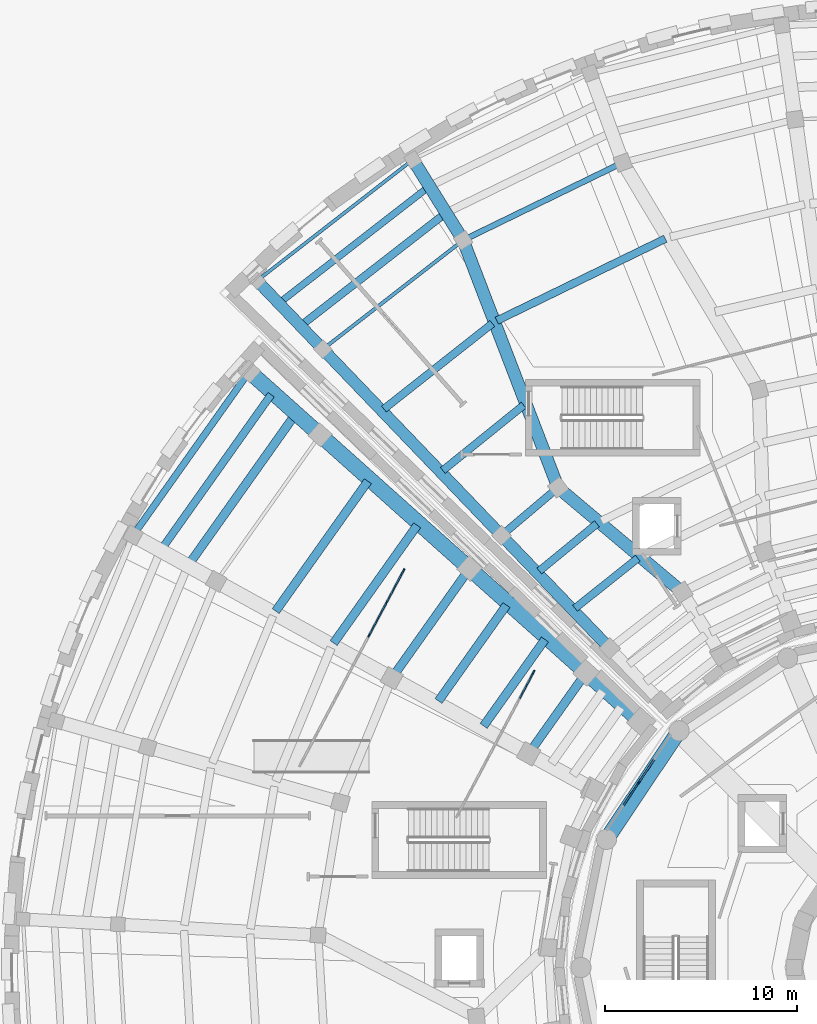
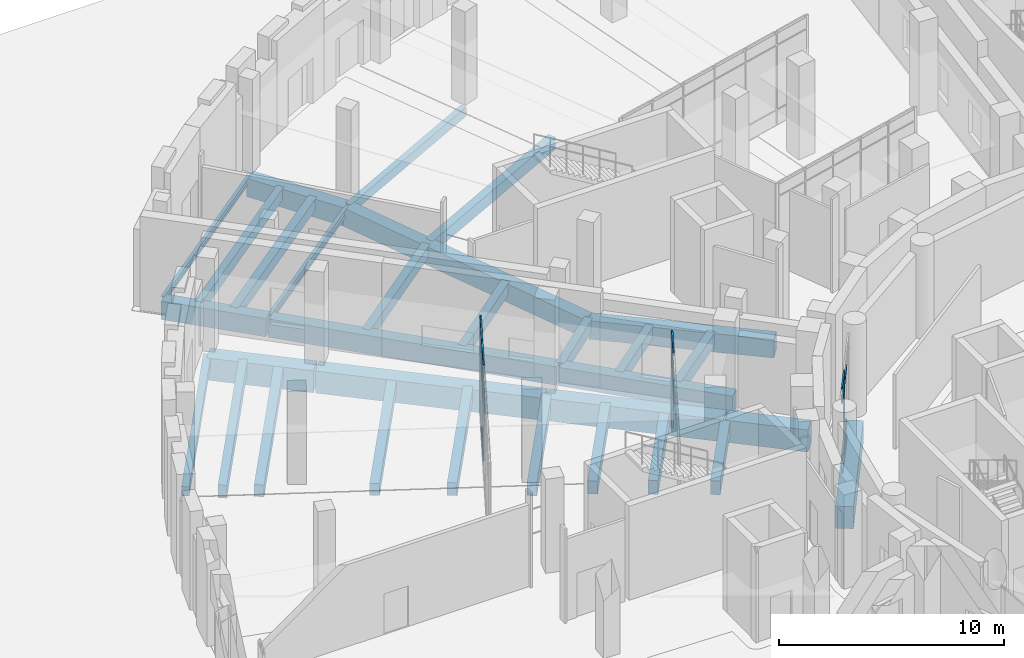
# One storey, part 22 of 74: 31 beams, 21 members, 3 elements without a shape of their own.
"""IFC4 building model written with IfcOpenShell, lengths in metres."""

from ifc_helpers import new_model, si_unit, direction, frame, origin, origin_2d, place, context, subcontext, project, spatial, rectangle, i_section, extrude, material, material_profile, profile_set, type_object, element, aggregate, save


model = new_model("IFC4")

# Units and contexts
model_context = context("Model", 3, precision=1e-05, world=origin(), true_north=direction((0.0, 1.0)))
body_context = subcontext(model_context, "Body", "Model", "MODEL_VIEW")
ifc_project = project(units=[si_unit("LENGTHUNIT", "METRE"), si_unit("AREAUNIT", "SQUARE_METRE"), si_unit("VOLUMEUNIT", "CUBIC_METRE"), si_unit("PLANEANGLEUNIT", "RADIAN"), si_unit("MASSUNIT", "GRAM", prefix="KILO")], contexts=[model_context])

# Site, building, storey
site_placement = place(None, origin())
site = spatial("IfcSite", under=ifc_project, at=site_placement, CompositionType="ELEMENT")
building_placement = place(site_placement, origin())
building = spatial("IfcBuilding", under=site, at=building_placement, Name="Soyqirgoq Riverine Aquarium", CompositionType="ELEMENT")
storey_placement = place(building_placement, origin())
storey = spatial("IfcBuildingStorey", under=building, at=storey_placement, Name="L01", CompositionType="ELEMENT", Elevation=0.0)

# Beams
ifc_material_1 = material(Name="Concrete C40/50", Category="concrete")
ifc_material_profile_1 = material_profile(ifc_material_1, rectangle(XDim=0.35009765625, YDim=0.60009765625, at=origin_2d()), Name="RC 350x600")
ifc_profile_set_1 = profile_set([ifc_material_profile_1], Name="Concrete C40/50")
beam_type_1 = type_object("IfcBeamType", Name="Beam_RC_350x600", PredefinedType="JOIST", material=ifc_profile_set_1)
beam_1_placement = place(storey_placement, frame((30.5419921875, 97.63623046875, -0.64990234375), z_axis=(-0.789621475639, -0.613594267582, 0.0), x_axis=(0.613594267582, -0.789621475639, 0.0)))
element("IfcBeam", 1, at=beam_1_placement, inside=storey, type_object=beam_type_1, Name="V4 L01 Secondary Floor Joist 0531", PredefinedType="JOIST", context=body_context, shape_type="SweptSolid", body=[
    extrude(rectangle(XDim=0.35009765625, YDim=0.60009765625, at=origin_2d()), origin(), (0.0, 0.0, 1.0), 9.664306640625),
])
ifc_material_2 = material(Name="Concrete C40/50", Category="concrete")
ifc_material_profile_2 = material_profile(ifc_material_2, rectangle(XDim=0.39990234375, YDim=0.60009765625, at=origin_2d()), Name="RC 400x600")
ifc_profile_set_2 = profile_set([ifc_material_profile_2], Name="Concrete C40/50")
beam_type_2 = type_object("IfcBeamType", Name="Beam_RC_400x600", PredefinedType="JOIST", material=ifc_profile_set_2)
beam_2_placement = place(storey_placement, frame((33.928466796875, 90.56591796875, -0.64990234375), z_axis=(-0.785202231004, -0.619239417694, 0.0), x_axis=(0.619239417694, -0.785202231004, 0.0)))
element("IfcBeam", 2, at=beam_2_placement, inside=storey, type_object=beam_type_2, Name="V4 L01 Secondary Floor Joist 0519", PredefinedType="JOIST", context=body_context, shape_type="SweptSolid", body=[
    extrude(rectangle(XDim=0.39990234375, YDim=0.60009765625, at=origin_2d()), origin(), (0.0, 0.0, 1.0), 7.1962890625),
])
beam_3_placement = place(storey_placement, frame((31.4052734375, 96.24951171875, -0.64990234375), z_axis=(-0.789610111246, -0.6136088919, 0.0), x_axis=(0.6136088919, -0.789610111246, 0.0)))
element("IfcBeam", 3, at=beam_3_placement, inside=storey, type_object=beam_type_2, Name="V4 L01 Secondary Floor Joist 0530", PredefinedType="JOIST", context=body_context, shape_type="SweptSolid", body=[
    extrude(rectangle(XDim=0.39990234375, YDim=0.60009765625, at=origin_2d()), origin(), (0.0, 0.0, 1.0), 9.325927734375),
])
ifc_material_3 = material(Name="Concrete C40/50", Category="concrete")
ifc_material_profile_3 = material_profile(ifc_material_3, rectangle(XDim=0.39990234375, YDim=0.64990234375, at=origin_2d()), Name="RC 400x650")
ifc_profile_set_3 = profile_set([ifc_material_profile_3], Name="Concrete C40/50")
beam_type_3 = type_object("IfcBeamType", Name="Beam_RC_400x650", PredefinedType="BEAM", material=ifc_profile_set_3)
beam_4_placement = place(storey_placement, frame((39.37939453125, 80.12939453125, -0.675048828125), z_axis=(-0.773357757344, -0.633969856662, 0.0), x_axis=(0.633969856662, -0.773357757344, 0.0)))
element("IfcBeam", 4, at=beam_4_placement, inside=storey, type_object=beam_type_3, Name="V4 L01 Secondary Floor Joist 0509", PredefinedType="BEAM", context=body_context, shape_type="SweptSolid", body=[
    extrude(rectangle(XDim=0.39990234375, YDim=0.64990234375, at=origin_2d()), origin(), (0.0, 0.0, 1.0), 3.884765625),
])
beam_5_placement = place(storey_placement, frame((37.31591796875, 81.983154296875, -0.675048828125), z_axis=(-0.763221409659, -0.646137044162, 0.0), x_axis=(0.646137044162, -0.763221409659, 0.0)))
element("IfcBeam", 5, at=beam_5_placement, inside=storey, type_object=beam_type_3, Name="V4 L01 Wedge Chord Beam 0512", PredefinedType="BEAM", context=body_context, shape_type="SweptSolid", body=[
    extrude(rectangle(XDim=0.39990234375, YDim=0.64990234375, at=origin_2d()), origin(), (0.0, 0.0, 1.0), 3.763671875),
])
beam_6_placement = place(storey_placement, frame((42.94287109375, 94.98583984375, -0.675048828125), z_axis=(-0.899181906839, -0.437575020326, 0.0), x_axis=(0.437575020326, -0.899181906839, 0.0)))
element("IfcBeam", 6, at=beam_6_placement, inside=storey, type_object=beam_type_3, Name="V4 L01 Secondary Floor Joist 0517", PredefinedType="BEAM", context=body_context, shape_type="SweptSolid", body=[
    extrude(rectangle(XDim=0.39990234375, YDim=0.64990234375, at=origin_2d()), origin(), (0.0, 0.0, 1.0), 9.762939453125),
])
beam_7_placement = place(storey_placement, frame((35.5625, 86.310302734375, -0.675048828125), z_axis=(-0.777984399039, -0.628283594288, 0.0), x_axis=(0.628283594288, -0.777984399039, 0.0)))
element("IfcBeam", 7, at=beam_7_placement, inside=storey, type_object=beam_type_3, Name="V4 L01 Secondary Floor Joist 0518", PredefinedType="BEAM", context=body_context, shape_type="SweptSolid", body=[
    extrude(rectangle(XDim=0.39990234375, YDim=0.64990234375, at=origin_2d()), origin(), (0.0, 0.0, 1.0), 5.416015625),
])
ifc_material_4 = material(Name="Concrete C40/50", Category="concrete")
ifc_material_profile_4 = material_profile(ifc_material_4, rectangle(XDim=0.39990234375, YDim=0.699951171875, at=origin_2d()), Name="RC 400x700")
ifc_profile_set_4 = profile_set([ifc_material_profile_4], Name="Concrete C40/50")
beam_type_4 = type_object("IfcBeamType", Name="Beam_RC_400x700", PredefinedType="BEAM", material=ifc_profile_set_4)
beam_8_placement = place(storey_placement, frame((22.3974609375, 86.857421875, -0.699951171875), z_axis=(-0.578552362778, -0.815645243671, 0.0), x_axis=(0.815645243671, -0.578552362778, 0.0)))
element("IfcBeam", 8, at=beam_8_placement, inside=storey, type_object=beam_type_4, Name="V3 L01 Secondary Floor Joist 0347", PredefinedType="BEAM", context=body_context, shape_type="SweptSolid", body=[
    extrude(rectangle(XDim=0.39990234375, YDim=0.699951171875, at=origin_2d()), origin(), (0.0, 0.0, 1.0), 9.822509765625),
])
beam_9_placement = place(storey_placement, frame((41.51171875, 78.33349609375, -0.699951171875), z_axis=(-0.78199960061, -0.623278930051, 0.0), x_axis=(0.623278930051, -0.78199960061, 0.0)))
element("IfcBeam", 9, at=beam_9_placement, inside=storey, type_object=beam_type_4, Name="V4 L01 Secondary Floor Joist 0508", PredefinedType="BEAM", context=body_context, shape_type="SweptSolid", body=[
    extrude(rectangle(XDim=0.39990234375, YDim=0.699951171875, at=origin_2d()), origin(), (0.0, 0.0, 1.0), 4.18701171875),
])
ifc_material_5 = material(Name="Concrete C40/50", Category="concrete")
ifc_material_profile_5 = material_profile(ifc_material_5, rectangle(XDim=0.449951171875, YDim=0.64990234375, at=origin_2d()), Name="RC 450x650")
ifc_profile_set_5 = profile_set([ifc_material_profile_5], Name="Concrete C40/50")
beam_type_5 = type_object("IfcBeamType", Name="Beam_RC_450x650", PredefinedType="BEAM", material=ifc_profile_set_5)
beam_10_placement = place(storey_placement, frame((27.440673828125, 82.348388671875, -0.675048828125), z_axis=(-0.57857035961, -0.815632477885, 0.0), x_axis=(0.815632477885, -0.57857035961, 0.0)))
element("IfcBeam", 10, at=beam_10_placement, inside=storey, type_object=beam_type_5, Name="V3 L01 Secondary Floor Joist 0335", PredefinedType="BEAM", context=body_context, shape_type="SweptSolid", body=[
    extrude(rectangle(XDim=0.449951171875, YDim=0.64990234375, at=origin_2d()), origin(), (0.0, 0.0, 1.0), 8.302734375),
])
beam_11_placement = place(storey_placement, frame((23.615234375, 85.768798828125, -0.675048828125), z_axis=(-0.578563092145, -0.815637633026, 0.0), x_axis=(0.815637633026, -0.578563092145, 0.0)))
element("IfcBeam", 11, at=beam_11_placement, inside=storey, type_object=beam_type_5, Name="V3 L01 Secondary Floor Joist 0346", PredefinedType="BEAM", context=body_context, shape_type="SweptSolid", body=[
    extrude(rectangle(XDim=0.449951171875, YDim=0.64990234375, at=origin_2d()), origin(), (0.0, 0.0, 1.0), 9.45556640625),
])
ifc_material_6 = material(Name="Concrete C40/50", Category="concrete")
ifc_material_profile_6 = material_profile(ifc_material_6, rectangle(XDim=0.449951171875, YDim=0.699951171875, at=origin_2d()), Name="RC 450x700")
ifc_profile_set_6 = profile_set([ifc_material_profile_6], Name="Concrete C40/50")
beam_type_6 = type_object("IfcBeamType", Name="Beam_RC_450x700", PredefinedType="BEAM", material=ifc_profile_set_6)
beam_12_placement = place(storey_placement, frame((34.6650390625, 75.888916015625, -0.699951171875), z_axis=(-0.578565717674, -0.815635770631, 0.0), x_axis=(0.815635770631, -0.578565717674, 0.0)))
element("IfcBeam", 12, at=beam_12_placement, inside=storey, type_object=beam_type_6, Name="V3 L01 Secondary Floor Joist 0329", PredefinedType="BEAM", context=body_context, shape_type="SweptSolid", body=[
    extrude(rectangle(XDim=0.449951171875, YDim=0.699951171875, at=origin_2d()), origin(), (0.0, 0.0, 1.0), 6.12548828125),
])
beam_13_placement = place(storey_placement, frame((32.712158203125, 77.7548828125, -0.699951171875), z_axis=(-0.578577957478, -0.81562708827, 0.0), x_axis=(0.81562708827, -0.578577957478, 0.0)))
element("IfcBeam", 13, at=beam_13_placement, inside=storey, type_object=beam_type_6, Name="V3 L01 Wedge Chord Beam 0330", PredefinedType="BEAM", context=body_context, shape_type="SweptSolid", body=[
    extrude(rectangle(XDim=0.449951171875, YDim=0.699951171875, at=origin_2d()), origin(), (0.0, 0.0, 1.0), 6.90966796875),
])
beam_14_placement = place(storey_placement, frame((30.011474609375, 80.0498046875, -0.699951171875), z_axis=(-0.578566097218, -0.815635501403, 0.0), x_axis=(0.815635501403, -0.578566097218, 0.0)))
element("IfcBeam", 14, at=beam_14_placement, inside=storey, type_object=beam_type_6, Name="V3 L01 Secondary Floor Joist 0334", PredefinedType="BEAM", context=body_context, shape_type="SweptSolid", body=[
    extrude(rectangle(XDim=0.449951171875, YDim=0.699951171875, at=origin_2d()), origin(), (0.0, 0.0, 1.0), 7.528076171875),
])
ifc_material_7 = material(Name="Concrete C40/50", Category="concrete")
ifc_material_profile_7 = material_profile(ifc_material_7, rectangle(XDim=0.449951171875, YDim=0.75, at=origin_2d()), Name="RC 450x750")
ifc_profile_set_7 = profile_set([ifc_material_profile_7], Name="Concrete C40/50")
beam_type_7 = type_object("IfcBeamType", Name="Beam_RC_450x750", PredefinedType="BEAM", material=ifc_profile_set_7)
beam_15_placement = place(storey_placement, frame((38.787841796875, 72.32275390625, -0.72509765625), z_axis=(-0.578584051574, -0.815622765293, 0.0), x_axis=(0.815622765293, -0.578584051574, 0.0)))
element("IfcBeam", 15, at=beam_15_placement, inside=storey, type_object=beam_type_7, Name="V3 L01 Wedge Chord Beam 0327", PredefinedType="BEAM", context=body_context, shape_type="SweptSolid", body=[
    extrude(rectangle(XDim=0.449951171875, YDim=0.75, at=origin_2d()), origin(), (0.0, 0.0, 1.0), 5.078857421875),
])
beam_16_placement = place(storey_placement, frame((36.670166015625, 74.096435546875, -0.72509765625), z_axis=(-0.578579091577, -0.815626283778, 0.0), x_axis=(0.815626283778, -0.578579091577, 0.0)))
element("IfcBeam", 16, at=beam_16_placement, inside=storey, type_object=beam_type_7, Name="V3 L01 Secondary Floor Joist 0328", PredefinedType="BEAM", context=body_context, shape_type="SweptSolid", body=[
    extrude(rectangle(XDim=0.449951171875, YDim=0.75, at=origin_2d()), origin(), (0.0, 0.0, 1.0), 5.521484375),
])

# Curtain wall, member
ifc_material_8 = material(Name="Anodised aluminium thermally broken triple low-E glazing", Category="aluminium")
curtain_wall_type_1 = type_object("IfcCurtainWallType", Name="CW_DrumGallery_Unitised", PredefinedType="NOTDEFINED", material=ifc_material_8)
curtain_wall_1_placement = place(storey_placement, origin())
curtain_wall_1 = element("IfcCurtainWall", 17, at=curtain_wall_1_placement, inside=storey, type_object=curtain_wall_type_1, Name="V1 L01 Curtain Wall 023", PredefinedType="NOTDEFINED")
ifc_material_9 = material(Name="Anodised aluminium 6063-T6", Category="aluminium")
ifc_material_profile_8 = material_profile(ifc_material_9, rectangle(XDim=0.080078125, YDim=0.219970703125, at=origin_2d()), Name="ALU-M 80x220")
ifc_profile_set_8 = profile_set([ifc_material_profile_8], Name="Anodised aluminium 6063-T6")
member_type_1 = type_object("IfcMemberType", Name="CWMullion_80x220", PredefinedType="MULLION", material=ifc_profile_set_8)
member_1_placement = place(storey_placement, frame((41.565673828125, 66.64453125, 0.0), z_axis=(0.0, 0.0, 1.0), x_axis=(0.831467275509, -0.555573730262, 0.0)))
member_1 = element("IfcMember", 18, at=member_1_placement, type_object=member_type_1, Name="CW-01 mullion 3", PredefinedType="MULLION", context=body_context, shape_type="SweptSolid", body=[
    extrude(rectangle(XDim=0.080078125, YDim=0.219970703125, at=origin_2d()), origin(), (0.0, 0.0, 1.0), 4.550048828125),
])

ifc_material_10 = material(Name="Cast polymethyl methacrylate PMMA Habitat Viewing Glazing", Category="glass")
curtain_wall_type_2 = type_object("IfcCurtainWallType", Name="CW_Interior_TankVitrine", PredefinedType="NOTDEFINED", material=ifc_material_10)
curtain_wall_2_placement = place(storey_placement, origin())
curtain_wall_2 = element("IfcCurtainWall", 19, at=curtain_wall_2_placement, inside=storey, type_object=curtain_wall_type_2, Name="V3 L01 Curtain Wall 147", PredefinedType="NOTDEFINED")
member_2_placement = place(storey_placement, frame((36.076416015625, 72.39111328125, 0.0), z_axis=(0.0, 0.0, 1.0), x_axis=(0.882946853562, -0.469472953199, 0.0)))
member_2 = element("IfcMember", 20, at=member_2_placement, type_object=member_type_1, Name="CW-07 mullion 1", PredefinedType="MULLION", context=body_context, shape_type="SweptSolid", body=[
    extrude(rectangle(XDim=0.080078125, YDim=0.219970703125, at=origin_2d()), origin(), (0.0, 0.0, 1.0), 5.10009765625),
])

# Curtain wall, members
curtain_wall_3_placement = place(storey_placement, origin())
curtain_wall_3 = element("IfcCurtainWall", 21, at=curtain_wall_3_placement, inside=storey, type_object=curtain_wall_type_2, Name="V3 L01 Curtain Wall 148", PredefinedType="NOTDEFINED")
member_3_placement = place(storey_placement, frame((29.299560546875, 77.685791015625, 0.0), z_axis=(0.0, 0.0, 1.0), x_axis=(0.88294600104, -0.46947455655, 0.0)))
member_3 = element("IfcMember", 22, at=member_3_placement, type_object=member_type_1, Name="CW-07 mullion 1", PredefinedType="MULLION", context=body_context, shape_type="SweptSolid", body=[
    extrude(rectangle(XDim=0.080078125, YDim=0.219970703125, at=origin_2d()), origin(), (0.0, 0.0, 1.0), 5.10009765625),
])
member_4_placement = place(storey_placement, frame((28.41552734375, 76.023193359375, 0.0), z_axis=(0.0, 0.0, 1.0), x_axis=(0.88294600104, -0.46947455655, 0.0)))
member_4 = element("IfcMember", 23, at=member_4_placement, type_object=member_type_1, Name="CW-07 mullion 2", PredefinedType="MULLION", context=body_context, shape_type="SweptSolid", body=[
    extrude(rectangle(XDim=0.080078125, YDim=0.219970703125, at=origin_2d()), origin(), (0.0, 0.0, 1.0), 5.10009765625),
])
member_5_placement = place(storey_placement, frame((27.5126953125, 74.3251953125, 0.0), z_axis=(0.0, 0.0, 1.0), x_axis=(0.88294600104, -0.46947455655, 0.0)))
member_5 = element("IfcMember", 24, at=member_5_placement, type_object=member_type_1, Name="CW-07 mullion 3", PredefinedType="MULLION", context=body_context, shape_type="SweptSolid", body=[
    extrude(rectangle(XDim=0.080078125, YDim=0.219970703125, at=origin_2d()), origin(), (0.0, 0.0, 1.0), 5.10009765625),
])

# Member
ifc_material_11 = material(Name="Anodised aluminium 6063-T6", Category="aluminium")
ifc_material_profile_9 = material_profile(ifc_material_11, rectangle(XDim=0.074951171875, YDim=0.14990234375, at=origin_2d()), Name="ALU-T 75x150")
ifc_profile_set_9 = profile_set([ifc_material_profile_9], Name="Anodised aluminium 6063-T6")
member_type_2 = type_object("IfcMemberType", Name="CWTransom_75x150", PredefinedType="USERDEFINED", material=ifc_profile_set_9)
member_6_placement = place(storey_placement, frame((42.354248046875, 67.824462890625, 0.03759765625), z_axis=(-0.555721149297, -0.831368753456, 0.0), x_axis=(0.831368753456, -0.555721149297, 0.0)))
member_6 = element("IfcMember", 25, at=member_6_placement, type_object=member_type_2, Name="CW-01 transom 2.1", ObjectType="TRANSOM", PredefinedType="USERDEFINED", context=body_context, shape_type="SweptSolid", body=[
    extrude(rectangle(XDim=0.074951171875, YDim=0.14990234375, at=origin_2d()), origin(), (0.0, 0.0, 1.0), 1.379150390625),
])

member_7_placement = place(storey_placement, frame((42.354248046875, 67.824462890625, 0.89990234375), z_axis=(-0.555721149297, -0.831368753456, 0.0), x_axis=(0.831368753456, -0.555721149297, 0.0)))
member_7 = element("IfcMember", 26, at=member_7_placement, type_object=member_type_2, Name="CW-01 transom 2.2", ObjectType="TRANSOM", PredefinedType="USERDEFINED", context=body_context, shape_type="SweptSolid", body=[
    extrude(rectangle(XDim=0.074951171875, YDim=0.14990234375, at=origin_2d()), origin(), (0.0, 0.0, 1.0), 1.379150390625),
])

member_8_placement = place(storey_placement, frame((42.354248046875, 67.824462890625, 3.85009765625), z_axis=(-0.555721149297, -0.831368753456, 0.0), x_axis=(0.831368753456, -0.555721149297, 0.0)))
member_8 = element("IfcMember", 27, at=member_8_placement, type_object=member_type_2, Name="CW-01 transom 2.3", ObjectType="TRANSOM", PredefinedType="USERDEFINED", context=body_context, shape_type="SweptSolid", body=[
    extrude(rectangle(XDim=0.074951171875, YDim=0.14990234375, at=origin_2d()), origin(), (0.0, 0.0, 1.0), 1.379150390625),
])

member_9_placement = place(storey_placement, frame((41.54345703125, 66.611328125, 0.03759765625), z_axis=(-0.555598767424, -0.831450545515, 0.0), x_axis=(0.831450545515, -0.555598767424, 0.0)))
member_9 = element("IfcMember", 28, at=member_9_placement, type_object=member_type_2, Name="CW-01 transom 3.1", ObjectType="TRANSOM", PredefinedType="USERDEFINED", context=body_context, shape_type="SweptSolid", body=[
    extrude(rectangle(XDim=0.074951171875, YDim=0.14990234375, at=origin_2d()), origin(), (0.0, 0.0, 1.0), 1.37890625),
])

member_10_placement = place(storey_placement, frame((41.54345703125, 66.611328125, 0.89990234375), z_axis=(-0.555598767424, -0.831450545515, 0.0), x_axis=(0.831450545515, -0.555598767424, 0.0)))
member_10 = element("IfcMember", 29, at=member_10_placement, type_object=member_type_2, Name="CW-01 transom 3.2", ObjectType="TRANSOM", PredefinedType="USERDEFINED", context=body_context, shape_type="SweptSolid", body=[
    extrude(rectangle(XDim=0.074951171875, YDim=0.14990234375, at=origin_2d()), origin(), (0.0, 0.0, 1.0), 1.37890625),
])

member_11_placement = place(storey_placement, frame((41.54345703125, 66.611328125, 3.85009765625), z_axis=(-0.555598767424, -0.831450545515, 0.0), x_axis=(0.831450545515, -0.555598767424, 0.0)))
member_11 = element("IfcMember", 30, at=member_11_placement, type_object=member_type_2, Name="CW-01 transom 3.3", ObjectType="TRANSOM", PredefinedType="USERDEFINED", context=body_context, shape_type="SweptSolid", body=[
    extrude(rectangle(XDim=0.074951171875, YDim=0.14990234375, at=origin_2d()), origin(), (0.0, 0.0, 1.0), 1.37890625),
])

member_12_placement = place(storey_placement, frame((41.54345703125, 66.611328125, 4.512451171875), z_axis=(-0.555598767424, -0.831450545515, 0.0), x_axis=(0.831450545515, -0.555598767424, 0.0)))
member_12 = element("IfcMember", 31, at=member_12_placement, type_object=member_type_2, Name="CW-01 transom 3.4", ObjectType="TRANSOM", PredefinedType="USERDEFINED", context=body_context, shape_type="SweptSolid", body=[
    extrude(rectangle(XDim=0.074951171875, YDim=0.14990234375, at=origin_2d()), origin(), (0.0, 0.0, 1.0), 1.37890625),
])

aggregate(curtain_wall_1, [member_1, member_6, member_7, member_8, member_9, member_10, member_11, member_12])

member_13_placement = place(storey_placement, frame((36.0576171875, 72.355712890625, 5.0625), z_axis=(-0.46942457219, -0.882972576598, 0.0), x_axis=(0.882972576598, -0.46942457219, 0.0)))
member_13 = element("IfcMember", 32, at=member_13_placement, type_object=member_type_2, Name="CW-07 transom 1.4", ObjectType="TRANSOM", PredefinedType="USERDEFINED", context=body_context, shape_type="SweptSolid", body=[
    extrude(rectangle(XDim=0.074951171875, YDim=0.14990234375, at=origin_2d()), origin(), (0.0, 0.0, 1.0), 1.59033203125),
])

aggregate(curtain_wall_2, [member_2, member_13])

member_14_placement = place(storey_placement, frame((29.28076171875, 77.650390625, 0.03759765625), z_axis=(-0.469442300966, -0.882963151023, 0.0), x_axis=(0.882963151023, -0.469442300966, 0.0)))
member_14 = element("IfcMember", 33, at=member_14_placement, type_object=member_type_2, Name="CW-07 transom 1.1", ObjectType="TRANSOM", PredefinedType="USERDEFINED", context=body_context, shape_type="SweptSolid", body=[
    extrude(rectangle(XDim=0.074951171875, YDim=0.14990234375, at=origin_2d()), origin(), (0.0, 0.0, 1.0), 1.802978515625),
])

member_15_placement = place(storey_placement, frame((29.28076171875, 77.650390625, 0.89990234375), z_axis=(-0.469442300966, -0.882963151023, 0.0), x_axis=(0.882963151023, -0.469442300966, 0.0)))
member_15 = element("IfcMember", 34, at=member_15_placement, type_object=member_type_2, Name="CW-07 transom 1.2", ObjectType="TRANSOM", PredefinedType="USERDEFINED", context=body_context, shape_type="SweptSolid", body=[
    extrude(rectangle(XDim=0.074951171875, YDim=0.14990234375, at=origin_2d()), origin(), (0.0, 0.0, 1.0), 1.802978515625),
])

member_16_placement = place(storey_placement, frame((29.28076171875, 77.650390625, 4.39990234375), z_axis=(-0.469442300966, -0.882963151023, 0.0), x_axis=(0.882963151023, -0.469442300966, 0.0)))
member_16 = element("IfcMember", 35, at=member_16_placement, type_object=member_type_2, Name="CW-07 transom 1.3", ObjectType="TRANSOM", PredefinedType="USERDEFINED", context=body_context, shape_type="SweptSolid", body=[
    extrude(rectangle(XDim=0.074951171875, YDim=0.14990234375, at=origin_2d()), origin(), (0.0, 0.0, 1.0), 1.802978515625),
])

member_17_placement = place(storey_placement, frame((29.28076171875, 77.650390625, 5.0625), z_axis=(-0.469442300966, -0.882963151023, 0.0), x_axis=(0.882963151023, -0.469442300966, 0.0)))
member_17 = element("IfcMember", 36, at=member_17_placement, type_object=member_type_2, Name="CW-07 transom 1.4", ObjectType="TRANSOM", PredefinedType="USERDEFINED", context=body_context, shape_type="SweptSolid", body=[
    extrude(rectangle(XDim=0.074951171875, YDim=0.14990234375, at=origin_2d()), origin(), (0.0, 0.0, 1.0), 1.802978515625),
])

member_18_placement = place(storey_placement, frame((28.396728515625, 75.98779296875, 0.03759765625), z_axis=(-0.469432830897, -0.88296818588, 0.0), x_axis=(0.88296818588, -0.469432830897, 0.0)))
member_18 = element("IfcMember", 37, at=member_18_placement, type_object=member_type_2, Name="CW-07 transom 2.1", ObjectType="TRANSOM", PredefinedType="USERDEFINED", context=body_context, shape_type="SweptSolid", body=[
    extrude(rectangle(XDim=0.074951171875, YDim=0.14990234375, at=origin_2d()), origin(), (0.0, 0.0, 1.0), 1.84326171875),
])

member_19_placement = place(storey_placement, frame((28.396728515625, 75.98779296875, 0.89990234375), z_axis=(-0.469432830897, -0.88296818588, 0.0), x_axis=(0.88296818588, -0.469432830897, 0.0)))
member_19 = element("IfcMember", 38, at=member_19_placement, type_object=member_type_2, Name="CW-07 transom 2.2", ObjectType="TRANSOM", PredefinedType="USERDEFINED", context=body_context, shape_type="SweptSolid", body=[
    extrude(rectangle(XDim=0.074951171875, YDim=0.14990234375, at=origin_2d()), origin(), (0.0, 0.0, 1.0), 1.84326171875),
])

member_20_placement = place(storey_placement, frame((28.396728515625, 75.98779296875, 4.39990234375), z_axis=(-0.469432830897, -0.88296818588, 0.0), x_axis=(0.88296818588, -0.469432830897, 0.0)))
member_20 = element("IfcMember", 39, at=member_20_placement, type_object=member_type_2, Name="CW-07 transom 2.3", ObjectType="TRANSOM", PredefinedType="USERDEFINED", context=body_context, shape_type="SweptSolid", body=[
    extrude(rectangle(XDim=0.074951171875, YDim=0.14990234375, at=origin_2d()), origin(), (0.0, 0.0, 1.0), 1.84326171875),
])

member_21_placement = place(storey_placement, frame((28.396728515625, 75.98779296875, 5.0625), z_axis=(-0.469432830897, -0.88296818588, 0.0), x_axis=(0.88296818588, -0.469432830897, 0.0)))
member_21 = element("IfcMember", 40, at=member_21_placement, type_object=member_type_2, Name="CW-07 transom 2.4", ObjectType="TRANSOM", PredefinedType="USERDEFINED", context=body_context, shape_type="SweptSolid", body=[
    extrude(rectangle(XDim=0.074951171875, YDim=0.14990234375, at=origin_2d()), origin(), (0.0, 0.0, 1.0), 1.84326171875),
])

aggregate(curtain_wall_3, [member_3, member_4, member_5, member_14, member_15, member_16, member_17, member_18, member_19, member_20, member_21])

# Beams
ifc_material_12 = material(Name="Concrete C40/50", Category="concrete")
ifc_material_profile_10 = material_profile(ifc_material_12, rectangle(XDim=0.60009765625, YDim=1.0, at=origin_2d()), Name="RC 600x1000")
ifc_profile_set_10 = profile_set([ifc_material_profile_10], Name="Concrete C40/50")
beam_type_8 = type_object("IfcBeamType", Name="Girder_RC_600x1000", PredefinedType="BEAM", material=ifc_profile_set_10)
beam_17_placement = place(storey_placement, frame((40.011474609375, 73.672607421875, -0.85009765625), z_axis=(-0.692136531124, 0.721766598204, 0.0), x_axis=(-0.721766598204, -0.692136531124, 0.0)))
element("IfcBeam", 41, at=beam_17_placement, inside=storey, type_object=beam_type_8, Name="V4 L01 Wedge Radial Girder 0483", PredefinedType="BEAM", context=body_context, shape_type="SweptSolid", body=[
    extrude(rectangle(XDim=0.60009765625, YDim=1.0, at=origin_2d()), origin(), (0.0, 0.0, 1.0), 8.050048828125),
])
beam_18_placement = place(storey_placement, frame((34.37060546875, 79.554931640625, -0.85009765625), z_axis=(-0.69214801098, 0.721755589446, 0.0), x_axis=(-0.721755589446, -0.69214801098, 0.0)))
element("IfcBeam", 42, at=beam_18_placement, inside=storey, type_object=beam_type_8, Name="V4 L01 Wedge Radial Girder 0484", PredefinedType="BEAM", context=body_context, shape_type="SweptSolid", body=[
    extrude(rectangle(XDim=0.60009765625, YDim=1.0, at=origin_2d()), origin(), (0.0, 0.0, 1.0), 13.35009765625),
])
beam_19_placement = place(storey_placement, frame((25.061279296875, 89.2626953125, -0.85009765625), z_axis=(-0.69215241344, 0.721751367556, 0.0), x_axis=(-0.721751367556, -0.69215241344, 0.0)))
element("IfcBeam", 43, at=beam_19_placement, inside=storey, type_object=beam_type_8, Name="V4 L01 Wedge Radial Girder 0485", PredefinedType="BEAM", context=body_context, shape_type="SweptSolid", body=[
    extrude(rectangle(XDim=0.60009765625, YDim=1.0, at=origin_2d()), origin(), (0.0, 0.0, 1.0), 4.85009765625),
])
ifc_material_13 = material(Name="Concrete C40/50", Category="concrete")
ifc_material_profile_11 = material_profile(ifc_material_13, rectangle(XDim=0.64990234375, YDim=1.0, at=origin_2d()), Name="RC 650x1000")
ifc_profile_set_11 = profile_set([ifc_material_profile_11], Name="Concrete C40/50")
beam_type_9 = type_object("IfcBeamType", Name="Girder_RC_650x1000", PredefinedType="BEAM", material=ifc_profile_set_11)
beam_20_placement = place(storey_placement, frame((43.78125, 76.60107421875, -0.85009765625), z_axis=(-0.764796747937, 0.644271630871, 0.0), x_axis=(-0.644271630871, -0.764796747937, 0.0)))
element("IfcBeam", 44, at=beam_20_placement, inside=storey, type_object=beam_type_9, Name="V4 L01 Wedge Radial Girder 0479", PredefinedType="BEAM", context=body_context, shape_type="SweptSolid", body=[
    extrude(rectangle(XDim=0.64990234375, YDim=1.0, at=origin_2d()), origin(), (0.0, 0.0, 1.0), 8.353759765625),
])
beam_21_placement = place(storey_placement, frame((37.336181640625, 82.06201171875, -0.85009765625), z_axis=(-0.358396623266, 0.933569419182, 0.0), x_axis=(-0.933569419182, -0.358396623266, 0.0)))
element("IfcBeam", 45, at=beam_21_placement, inside=storey, type_object=beam_type_9, Name="V4 L01 Wedge Radial Girder 0480", PredefinedType="BEAM", context=body_context, shape_type="SweptSolid", body=[
    extrude(rectangle(XDim=0.64990234375, YDim=1.0, at=origin_2d()), origin(), (0.0, 0.0, 1.0), 13.70849609375),
])
beam_22_placement = place(storey_placement, frame((32.37890625, 94.948974609375, -0.85009765625), z_axis=(-0.5284325153, 0.848975309873, 0.0), x_axis=(-0.848975309873, -0.5284325153, 0.0)))
element("IfcBeam", 46, at=beam_22_placement, inside=storey, type_object=beam_type_9, Name="V4 L01 Wedge Radial Girder 0481", PredefinedType="BEAM", context=body_context, shape_type="SweptSolid", body=[
    extrude(rectangle(XDim=0.64990234375, YDim=1.0, at=origin_2d()), origin(), (0.0, 0.0, 1.0), 4.85009765625),
])
ifc_material_14 = material(Name="Concrete C40/50", Category="concrete")
ifc_material_profile_12 = material_profile(ifc_material_14, rectangle(XDim=0.800048828125, YDim=1.199951171875, at=origin_2d()), Name="RC 800x1200")
ifc_profile_set_12 = profile_set([ifc_material_profile_12], Name="Concrete C40/50")
beam_type_10 = type_object("IfcBeamType", Name="Girder_RC_800x1200", PredefinedType="BEAM", material=ifc_profile_set_12)
beam_23_placement = place(storey_placement, frame((43.63330078125, 69.29736328125, -1.050048828125), z_axis=(-0.555598478126, -0.831450738832, 0.0), x_axis=(0.831450738832, -0.555598478126, 0.0)))
element("IfcBeam", 47, at=beam_23_placement, inside=storey, type_object=beam_type_10, Name="V1 L01 Drum Ring Girder 0012", PredefinedType="BEAM", context=body_context, shape_type="SweptSolid", body=[
    extrude(rectangle(XDim=0.800048828125, YDim=1.199951171875, at=origin_2d()), origin(), (0.0, 0.0, 1.0), 6.70849609375),
])
beam_24_placement = place(storey_placement, frame((41.649658203125, 69.830810546875, -0.949951171875), z_axis=(-0.745488150962, 0.666518879534, 0.0), x_axis=(-0.666518879534, -0.745488150962, 0.0)))
element("IfcBeam", 48, at=beam_24_placement, inside=storey, type_object=beam_type_10, Name="V3 L01 Wedge Radial Girder 0304", PredefinedType="BEAM", context=body_context, shape_type="SweptSolid", body=[
    extrude(rectangle(XDim=0.800048828125, YDim=1.199951171875, at=origin_2d()), origin(), (0.0, 0.0, 1.0), 3.75),
])
beam_25_placement = place(storey_placement, frame((38.779541015625, 72.39697265625, -0.949951171875), z_axis=(-0.745490323656, 0.666516449411, 0.0), x_axis=(-0.666516449411, -0.745490323656, 0.0)))
element("IfcBeam", 49, at=beam_25_placement, inside=storey, type_object=beam_type_10, Name="V3 L01 Wedge Radial Girder 0305", PredefinedType="BEAM", context=body_context, shape_type="SweptSolid", body=[
    extrude(rectangle(XDim=0.800048828125, YDim=1.199951171875, at=origin_2d()), origin(), (0.0, 0.0, 1.0), 8.050048828125),
])
beam_26_placement = place(storey_placement, frame((32.703857421875, 77.8291015625, -0.949951171875), z_axis=(-0.745468300853, 0.666541080822, 0.0), x_axis=(-0.666541080822, -0.745468300853, 0.0)))
element("IfcBeam", 50, at=beam_26_placement, inside=storey, type_object=beam_type_10, Name="V3 L01 Wedge Radial Girder 0306", PredefinedType="BEAM", context=body_context, shape_type="SweptSolid", body=[
    extrude(rectangle(XDim=0.800048828125, YDim=1.199951171875, at=origin_2d()), origin(), (0.0, 0.0, 1.0), 10.349853515625),
])
beam_27_placement = place(storey_placement, frame((24.91357421875, 84.79443359375, -0.949951171875), z_axis=(-0.745470350747, 0.666538788186, 0.0), x_axis=(-0.666538788186, -0.745470350747, 0.0)))
element("IfcBeam", 51, at=beam_27_placement, inside=storey, type_object=beam_type_10, Name="V3 L01 Wedge Radial Girder 0307", PredefinedType="BEAM", context=body_context, shape_type="SweptSolid", body=[
    extrude(rectangle(XDim=0.800048828125, YDim=1.199951171875, at=origin_2d()), origin(), (0.0, 0.0, 1.0), 4.849853515625),
])
ifc_material_15 = material(Name="Concrete C40/50", Category="concrete")
ifc_material_profile_13 = material_profile(ifc_material_15, rectangle(XDim=0.300048828125, YDim=0.5, at=origin_2d()), Name="RC 300x500")
ifc_profile_set_13 = profile_set([ifc_material_profile_13], Name="Concrete C40/50")
beam_type_11 = type_object("IfcBeamType", Name="Spandrel_RC_300x500", PredefinedType="SPANDREL", material=ifc_profile_set_13)
beam_28_placement = place(storey_placement, frame((40.683837890625, 98.935302734375, -0.60009765625), z_axis=(-0.89918008806, -0.437578757753, 0.0), x_axis=(0.437578757753, -0.89918008806, 0.0)))
element("IfcBeam", 52, at=beam_28_placement, inside=storey, type_object=beam_type_11, Name="V4 L01 Wedge Chord Beam 0522", PredefinedType="SPANDREL", context=body_context, shape_type="SweptSolid", body=[
    extrude(rectangle(XDim=0.300048828125, YDim=0.5, at=origin_2d()), origin(), (0.0, 0.0, 1.0), 9.15673828125),
])
ifc_material_16 = material(Name="Concrete C40/50", Category="concrete")
ifc_material_profile_14 = material_profile(ifc_material_16, rectangle(XDim=0.35009765625, YDim=0.5, at=origin_2d()), Name="RC 350x500")
ifc_profile_set_14 = profile_set([ifc_material_profile_14], Name="Concrete C40/50")
beam_type_12 = type_object("IfcBeamType", Name="Spandrel_RC_350x500", PredefinedType="SPANDREL", material=ifc_profile_set_14)
beam_29_placement = place(storey_placement, frame((21.23193359375, 88.01953125, -0.60009765625), z_axis=(-0.578569198652, -0.815633301412, 0.0), x_axis=(0.815633301412, -0.578569198652, 0.0)))
element("IfcBeam", 53, at=beam_29_placement, inside=storey, type_object=beam_type_12, Name="V3 L01 Wedge Chord Beam 0354", PredefinedType="SPANDREL", context=body_context, shape_type="SweptSolid", body=[
    extrude(rectangle(XDim=0.35009765625, YDim=0.5, at=origin_2d()), origin(), (0.0, 0.0, 1.0), 10.36962890625),
])
ifc_material_17 = material(Name="Structural steel S355", Category="steel")
ifc_material_profile_15 = material_profile(ifc_material_17, i_section(OverallWidth=0.169921875, OverallDepth=0.360107421875, WebThickness=0.008056640625, FlangeThickness=0.0126953125, FilletRadius=0.01806640625, at=origin_2d()), Name="IPE 360")
ifc_profile_set_15 = profile_set([ifc_material_profile_15], Name="Structural steel S355")
beam_type_13 = type_object("IfcBeamType", Name="Spandrel_Steel_IPE360", PredefinedType="SPANDREL", material=ifc_profile_set_15)
beam_30_placement = place(storey_placement, frame((29.75, 99.078369140625, -0.530029296875), z_axis=(-0.78962066325, -0.613595313027, 0.0), x_axis=(0.613595313027, -0.78962066325, 0.0)))
element("IfcBeam", 54, at=beam_30_placement, inside=storey, type_object=beam_type_13, Name="V4 L01 Wedge Chord Beam 0535", PredefinedType="SPANDREL", context=body_context, shape_type="SweptSolid", body=[
    extrude(i_section(OverallWidth=0.169921875, OverallDepth=0.360107421875, WebThickness=0.008056640625, FlangeThickness=0.0126953125, FilletRadius=0.01806640625, at=origin_2d()), origin(), (0.0, 0.0, 1.0), 10.18310546875),
])
ifc_material_18 = material(Name="Structural steel S355", Category="steel")
ifc_material_profile_16 = material_profile(ifc_material_18, i_section(OverallWidth=0.179931640625, OverallDepth=0.39990234375, WebThickness=0.008544921875, FlangeThickness=0.013427734375, FilletRadius=0.02099609375, at=origin_2d()), Name="IPE 400")
ifc_profile_set_16 = profile_set([ifc_material_profile_16], Name="Structural steel S355")
beam_type_14 = type_object("IfcBeamType", Name="Spandrel_Steel_IPE400", PredefinedType="SPANDREL", material=ifc_profile_set_16)
beam_31_placement = place(storey_placement, frame((32.36572265625, 94.8759765625, -0.550048828125), z_axis=(-0.789619172012, -0.61359723206, 0.0), x_axis=(0.61359723206, -0.789619172012, 0.0)))
element("IfcBeam", 55, at=beam_31_placement, inside=storey, type_object=beam_type_14, Name="V4 L01 Wedge Chord Beam 0523", PredefinedType="SPANDREL", context=body_context, shape_type="SweptSolid", body=[
    extrude(i_section(OverallWidth=0.179931640625, OverallDepth=0.39990234375, WebThickness=0.008544921875, FlangeThickness=0.013427734375, FilletRadius=0.02099609375, at=origin_2d()), origin(), (0.0, 0.0, 1.0), 9.156982421875),
])

save(model, "model.ifc")
